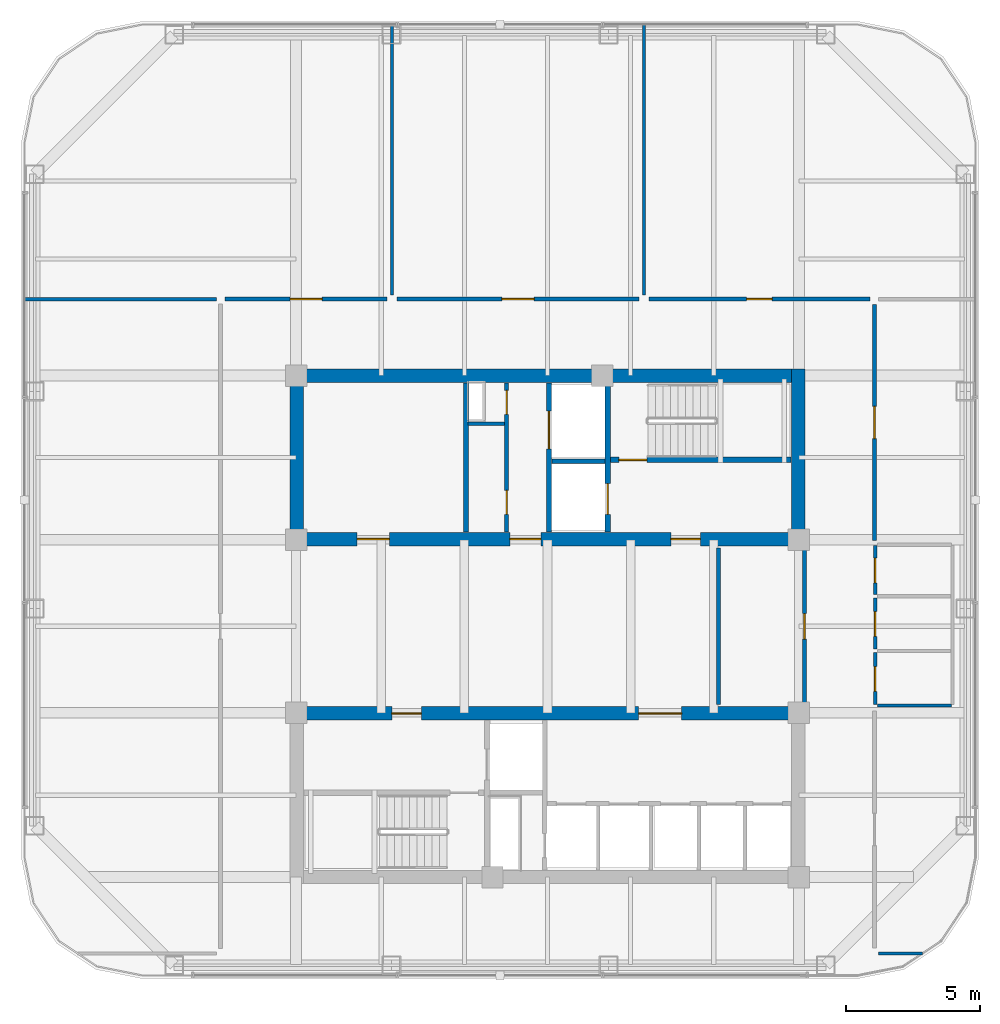
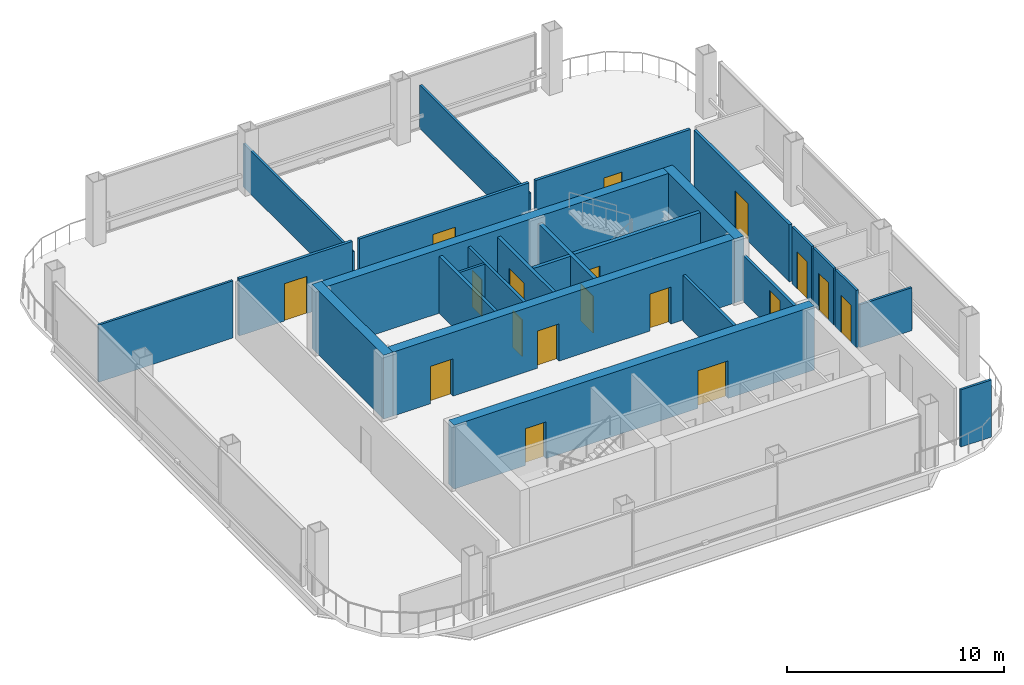
# One storey, part 15 of 19: 26 walls, 18 doors, 18 openings.
"""IFC4 building model written with IfcOpenShell, lengths in metres."""

import ifcopenshell
import ifcopenshell.guid

model = None  # the IFC model being written
_history = None  # IfcOwnerHistory: only IFC2X3 demands one
_inside = {}  # id of a spatial element -> (the spatial element, [elements in it])
_under = {}  # id of a project, library or spatial element -> (it, [spatial elements below it])
_declared = {}  # id of a project -> (the project, [libraries it declares])
_typed = {}  # id of a type object -> (the type object, [elements of that type])
_made_of = {}  # id of a material, layer set ... -> (it, [elements and type objects made of it])


def new_model(schema):
    """Start an empty IFC model of exactly this schema.

    Asked for "IFC4X3", IfcOpenShell would pick the latest addendum, in which some entities
    have other attributes; the version numbers below select the first issue.
    IFC2X3 requires an IfcOwnerHistory on every rooted entity: one is made here for all.
    """
    global model, _history
    if schema == "IFC4X3":
        model = ifcopenshell.file(schema_version=(4, 3, 0, 0))
    else:
        model = ifcopenshell.file(schema=schema)
    _inside.clear()
    _under.clear()
    _declared.clear()
    _typed.clear()
    _made_of.clear()
    _history = None
    if model.schema == "IFC2X3":
        org = make("IfcOrganization", Name="unknown")
        user = make(
            "IfcPersonAndOrganization",
            ThePerson=make("IfcPerson", FamilyName="unknown"),
            TheOrganization=org,
        )
        app = make(
            "IfcApplication",
            ApplicationDeveloper=org,
            Version="unknown",
            ApplicationFullName="unknown",
            ApplicationIdentifier="unknown",
        )
        _history = make(
            "IfcOwnerHistory",
            OwningUser=user,
            OwningApplication=app,
            ChangeAction="ADDED",
            CreationDate=0,
        )
    return model


def make(cls, **values):
    """One entity of the class cls with the attributes given. An attribute that is None is left unset."""
    return model.create_entity(
        cls, **{name: value for name, value in values.items() if value is not None}
    )


def rooted(cls, **values):
    """An entity with a GlobalId (a new one), such as an element, a storey or a relation."""
    return make(cls, GlobalId=ifcopenshell.guid.new(), OwnerHistory=_history, **values)


def si_unit(unit_type, name, prefix=None):
    """IfcSIUnit, for example si_unit("LENGTHUNIT", "METRE", prefix="MILLI")."""
    return make("IfcSIUnit", UnitType=unit_type, Prefix=prefix, Name=name)


def assignment(units):
    """IfcUnitAssignment: the units of a project."""
    return None if units is None else make("IfcUnitAssignment", Units=units)


def point(xyz):
    """IfcCartesianPoint."""
    return None if xyz is None else make("IfcCartesianPoint", Coordinates=xyz)


def direction(xyz):
    """IfcDirection."""
    return None if xyz is None else make("IfcDirection", DirectionRatios=xyz)


def frame(location, z_axis=None, x_axis=None):
    """IfcAxis2Placement3D, a coordinate frame: its origin and axes. An axis left out is left unset."""
    return make(
        "IfcAxis2Placement3D",
        Location=point(location),
        Axis=direction(z_axis),
        RefDirection=direction(x_axis),
    )


def frame_2d(location, x_axis=None):
    """IfcAxis2Placement2D, a coordinate frame in the plane: its origin and x axis."""
    return make(
        "IfcAxis2Placement2D", Location=point(location), RefDirection=direction(x_axis)
    )


def origin():
    """The frame at (0, 0, 0) with its axes left unset."""
    return frame((0.0, 0.0, 0.0))


def place(relative_to, where):
    """IfcLocalPlacement: puts the frame where relative to a parent placement (None: the world)."""
    return make(
        "IfcLocalPlacement", PlacementRelTo=relative_to, RelativePlacement=where
    )


def context(
    kind, dimensions, precision=None, world=None, true_north=None, identifier=None
):
    """IfcGeometricRepresentationContext, for example the 3D "Model" context."""
    return make(
        "IfcGeometricRepresentationContext",
        ContextIdentifier=identifier,
        ContextType=kind,
        CoordinateSpaceDimension=dimensions,
        Precision=precision,
        WorldCoordinateSystem=world,
        TrueNorth=true_north,
    )


def subcontext(parent, identifier, kind, view, scale=None):
    """IfcGeometricRepresentationSubContext, for example "Body" below "Model"."""
    return make(
        "IfcGeometricRepresentationSubContext",
        ContextIdentifier=identifier,
        ContextType=kind,
        ParentContext=parent,
        TargetScale=scale,
        TargetView=view,
    )


def project(units=None, contexts=None):
    """IfcProject with its units and contexts."""
    return rooted(
        "IfcProject",
        Name="project",
        RepresentationContexts=contexts,
        UnitsInContext=assignment(units),
    )


def spatial(cls, under=None, at=None, **own):
    """A site, building, storey or space (cls), placed at a placement, below another one or the project."""
    s = rooted(cls, ObjectPlacement=at, **own)
    if under is not None:
        _under.setdefault(under.id(), (under, []))[1].append(s)
    return s


def profile(cls, at=None, kind="AREA", **sizes):
    """A parametric profile (cls). Its sizes go by their IFC names, for example OverallWidth=200.0."""
    return make(cls, ProfileType=kind, Position=at, **sizes)


def rectangle(**sizes):
    """IfcRectangleProfileDef."""
    return profile("IfcRectangleProfileDef", **sizes)


def extrude(swept, where, along, depth):
    """IfcExtrudedAreaSolid: the profile swept, set in the frame where, extruded along a direction by depth."""
    return make(
        "IfcExtrudedAreaSolid",
        SweptArea=swept,
        Position=where,
        ExtrudedDirection=direction(along),
        Depth=depth,
    )


def shape(context_of_items, identifier, shape_type, items):
    """IfcShapeRepresentation: the items that make up one representation, for example the "Body"."""
    return make(
        "IfcShapeRepresentation",
        ContextOfItems=context_of_items,
        RepresentationIdentifier=identifier,
        RepresentationType=shape_type,
        Items=items,
    )


def material(Name=None, Category=None):
    """IfcMaterial."""
    return make("IfcMaterial", Name=Name, Category=Category)


def layer(
    of_material, thickness, ventilated=None, Name=None, Category=None, Priority=None
):
    """IfcMaterialLayer: one layer of a wall or slab, of a material (None: an air gap)."""
    return make(
        "IfcMaterialLayer",
        Material=of_material,
        LayerThickness=thickness,
        IsVentilated=ventilated,
        Name=Name,
        Category=Category,
        Priority=Priority,
    )


def layer_set(layers, Name=None):
    """IfcMaterialLayerSet."""
    return make("IfcMaterialLayerSet", MaterialLayers=layers, LayerSetName=Name)


def made_of(thing, what):
    """Note that an element or type object is made of a material, layer set ...; save() writes the relation."""
    if what is not None:
        _made_of.setdefault(what.id(), (what, []))[1].append(thing)
    return thing


def type_object(cls, material=None, **own):
    """A type object (cls), such as IfcWallType, which elements share."""
    return made_of(rooted(cls, **own), material)


def element(
    cls,
    number,
    at=None,
    inside=None,
    cuts=None,
    type_object=None,
    material=None,
    context=None,
    identifier="Body",
    shape_type=None,
    held_by="IfcProductDefinitionShape",
    body=None,
    shapes=None,
    **own,
):
    """One element of the class cls, such as IfcWall. Its Tag is "e" and its number.

    at: its placement. inside: the storey or other place that contains it. cuts: it is an
    opening in that element (IfcRelVoidsElement). A single representation is given by context,
    identifier, shape_type and body (its items); several are given by shapes. held_by: the class
    of the entity that holds the representations. save() writes the other relations.
    """
    e = rooted(cls, Tag="e%d" % number, ObjectPlacement=at, **own)
    if body is not None:
        shapes = [shape(context, identifier, shape_type, body)]
    if shapes is not None:
        e.Representation = make(held_by, Representations=shapes)
    if inside is not None:
        _inside.setdefault(inside.id(), (inside, []))[1].append(e)
    if cuts is not None:
        rooted(
            "IfcRelVoidsElement", RelatingBuildingElement=cuts, RelatedOpeningElement=e
        )
    if type_object is not None:
        _typed.setdefault(type_object.id(), (type_object, []))[1].append(e)
    return made_of(e, material)


def fill(opening, filler):
    """IfcRelFillsElement: the door or window that sits in an opening."""
    return rooted(
        "IfcRelFillsElement",
        RelatingOpeningElement=opening,
        RelatedBuildingElement=filler,
    )


def aggregate(whole, parts):
    """IfcRelAggregates: a whole, such as a stair, and the parts it consists of."""
    return rooted("IfcRelAggregates", RelatingObject=whole, RelatedObjects=parts)


def save(model, path):
    """Write the relations noted so far, then the file.

    IfcRelAggregates (storeys below a building ...), IfcRelContainedInSpatialStructure (elements
    in a storey), IfcRelDefinesByType, IfcRelAssociatesMaterial and IfcRelDeclares: one each for
    every whole, place, type object, material and project.
    """
    for whole, parts in _under.values():
        aggregate(whole, parts)
    for where, things in _inside.values():
        rooted(
            "IfcRelContainedInSpatialStructure",
            RelatedElements=things,
            RelatingStructure=where,
        )
    for kind, things in _typed.values():
        rooted("IfcRelDefinesByType", RelatedObjects=things, RelatingType=kind)
    for what, things in _made_of.values():
        rooted("IfcRelAssociatesMaterial", RelatedObjects=things, RelatingMaterial=what)
    for by, libraries in _declared.values():
        rooted("IfcRelDeclares", RelatingContext=by, RelatedDefinitions=libraries)
    model.write(path)


model = new_model("IFC4")

# Units and contexts
model_context = context("Model", 3, precision=1e-05, world=origin(), true_north=direction((0.0, 1.0)))
body_context = subcontext(model_context, "Body", "Model", "MODEL_VIEW")
ifc_project = project(units=[si_unit("LENGTHUNIT", "METRE"), si_unit("AREAUNIT", "SQUARE_METRE"), si_unit("VOLUMEUNIT", "CUBIC_METRE"), si_unit("PLANEANGLEUNIT", "RADIAN"), si_unit("MASSUNIT", "GRAM", prefix="KILO")], contexts=[model_context])

# Site, building, storey
site_placement = place(None, origin())
site = spatial("IfcSite", under=ifc_project, at=site_placement, CompositionType="ELEMENT")
building_placement = place(site_placement, origin())
building = spatial("IfcBuilding", under=site, at=building_placement, Name="Qhalaya Broadcast Tower", CompositionType="ELEMENT")
storey_placement = place(building_placement, frame((0.0, 0.0, 148.199951171875)))
storey = spatial("IfcBuildingStorey", under=building, at=storey_placement, Name="L43", CompositionType="ELEMENT", Elevation=148.199951171875)

# Wall, openings, doors
ifc_material_1 = material(Name="Gypsum Acoustic Partition")
ifc_layer_1 = layer(ifc_material_1, 0.14990234375, Name="Gypsum Acoustic Partition")
ifc_layer_set_1 = layer_set([ifc_layer_1], Name="Gypsum Acoustic Partition")
wall_type_1 = type_object("IfcWallType", Name="Corridor & Tenancy Acoustic Partition 150", PredefinedType="PARTITIONING", material=ifc_layer_set_1)
wall_1_placement = place(storey_placement, frame((-1.52001953125, 4.1201171875, 0.0), z_axis=(0.0, 0.0, 1.0), x_axis=(0.0, 1.0, 0.0)))
wall_1 = element("IfcWall", 1, at=wall_1_placement, inside=storey, type_object=wall_type_1, Name="L43 Partition Wall NCW-SVL", PredefinedType="PARTITIONING", context=body_context, shape_type="SweptSolid", body=[
    extrude(rectangle(XDim=5.559814453125, YDim=0.14990234375, at=frame_2d((2.77978515625, 0.0))), origin(), (0.0, 0.0, 1.0), 3.219970703125),
])
opening_1_placement = place(wall_1_placement, frame((4.3798828125, 0.0, 0.0)))
opening_1 = element("IfcOpeningElement", 2, at=opening_1_placement, cuts=wall_1, Name="Opening D06", PredefinedType="OPENING", context=body_context, shape_type="SweptSolid", body=[
    extrude(rectangle(XDim=0.89990234375, YDim=2.050048828125, at=frame_2d((0.449951171875, 1.02490234375))), frame((0.0, 0.0869140625, 0.0), z_axis=(0.0, -1.0, 0.0), x_axis=(1.0, 0.0, 0.0)), (0.0, 0.0, 1.0), 0.173828125),
])
opening_2_placement = place(wall_1_placement, frame((0.64990234375, 0.0, 0.0)))
opening_2 = element("IfcOpeningElement", 3, at=opening_2_placement, cuts=wall_1, Name="Opening D06", PredefinedType="OPENING", context=body_context, shape_type="SweptSolid", body=[
    extrude(rectangle(XDim=0.89990234375, YDim=2.050048828125, at=frame_2d((0.449951171875, 1.02490234375))), frame((0.0, 0.0869140625, 0.0), z_axis=(0.0, -1.0, 0.0), x_axis=(1.0, 0.0, 0.0)), (0.0, 0.0, 1.0), 0.173828125),
])
ifc_material_2 = material(Name="Fire-Rated Steel Door", Category="steel")
door_type_1 = type_object("IfcDoorType", Name="Riser & Electrical Shaft Access Door D06", OperationType="NOTDEFINED", PredefinedType="DOOR", material=ifc_material_2)
door_1_placement = place(opening_1_placement, origin())
door_1 = element("IfcDoor", 4, at=door_1_placement, inside=storey, type_object=door_type_1, Name="L43 Riser Shaft Access Door D-NRSR", OperationType="SINGLE_SWING_RIGHT", OverallHeight=2.050048828125, OverallWidth=0.89990234375, PredefinedType="DOOR", context=body_context, shape_type="SweptSolid", body=[
    extrude(rectangle(XDim=0.89990234375, YDim=2.050048828125, at=frame_2d((0.449951171875, 1.02490234375))), frame((0.0, 0.02490234375, 0.0), z_axis=(0.0, -1.0, 0.0), x_axis=(1.0, 0.0, 0.0)), (0.0, 0.0, 1.0), 0.050048828125),
])
fill(opening_1, door_1)
door_2_placement = place(opening_2_placement, origin())
door_2 = element("IfcDoor", 5, at=door_2_placement, inside=storey, type_object=door_type_1, Name="L43 Door D-NCST", OperationType="SINGLE_SWING_LEFT", OverallHeight=2.050048828125, OverallWidth=0.89990234375, PredefinedType="DOOR", context=body_context, shape_type="SweptSolid", body=[
    extrude(rectangle(XDim=0.89990234375, YDim=2.050048828125, at=frame_2d((0.449951171875, 1.02490234375))), frame((0.0, 0.02490234375, 0.0), z_axis=(0.0, -1.0, 0.0), x_axis=(1.0, 0.0, 0.0)), (0.0, 0.0, 1.0), 0.050048828125),
])
fill(opening_2, door_2)

# Wall
wall_2_placement = place(storey_placement, frame((6.3798828125, -2.320068359375, 0.0), z_axis=(0.0, 0.0, 1.0), x_axis=(0.0, 1.0, 0.0)))
element("IfcWall", 6, at=wall_2_placement, inside=storey, type_object=wall_type_1, Name="L43 Partition Wall W-ICHW", PredefinedType="PARTITIONING", context=body_context, shape_type="SweptSolid", body=[
    extrude(rectangle(XDim=5.840087890625, YDim=0.14990234375, at=frame_2d((2.919921875, 0.0))), origin(), (0.0, 0.0, 1.0), 2.588134765625),
])

# Wall, opening, door
wall_3_placement = place(storey_placement, frame((9.580078125, -2.320068359375, 0.0), z_axis=(0.0, 0.0, 1.0), x_axis=(0.0, 1.0, 0.0)))
wall_3 = element("IfcWall", 7, at=wall_3_placement, inside=storey, type_object=wall_type_1, Name="L43 Partition Wall W-ICHE", PredefinedType="PARTITIONING", context=body_context, shape_type="SweptSolid", body=[
    extrude(rectangle(XDim=5.840087890625, YDim=0.14990234375, at=frame_2d((2.919921875, 0.0))), origin(), (0.0, 0.0, 1.0), 2.588134765625),
])
opening_3_placement = place(wall_3_placement, frame((2.445068359375, 0.0, 0.0)))
opening_3 = element("IfcOpeningElement", 8, at=opening_3_placement, cuts=wall_3, Name="Opening D10", PredefinedType="OPENING", context=body_context, shape_type="SweptSolid", body=[
    extrude(rectangle(XDim=0.949951171875, YDim=2.10009765625, at=frame_2d((0.47509765625, 1.050048828125))), frame((0.0, 0.0869140625, 0.0), z_axis=(0.0, -1.0, 0.0), x_axis=(1.0, 0.0, 0.0)), (0.0, 0.0, 1.0), 0.173828125),
])
ifc_material_3 = material(Name="Timber Veneer Acoustic Door", Category="wood")
door_type_2 = type_object("IfcDoorType", Name="Cellular Office & Edit Booth Door D10", OperationType="NOTDEFINED", PredefinedType="DOOR", material=ifc_material_3)
door_3_placement = place(opening_3_placement, origin())
door_3 = element("IfcDoor", 9, at=door_3_placement, inside=storey, type_object=door_type_2, Name="L43 Door D-ICHE", OperationType="SINGLE_SWING_RIGHT", OverallHeight=2.10009765625, OverallWidth=0.949951171875, PredefinedType="DOOR", context=body_context, shape_type="SweptSolid", body=[
    extrude(rectangle(XDim=0.949951171875, YDim=2.10009765625, at=frame_2d((0.47509765625, 1.050048828125))), frame((0.0, 0.02490234375, 0.0), z_axis=(0.0, -1.0, 0.0), x_axis=(1.0, 0.0, 0.0)), (0.0, 0.0, 1.0), 0.050048828125),
])
fill(opening_3, door_3)

wall_4_placement = place(storey_placement, frame((-12.02001953125, 12.800048828125, 0.0), z_axis=(0.0, 0.0, 1.0), x_axis=(1.0, 0.0, 0.0)))
wall_4 = element("IfcWall", 10, at=wall_4_placement, inside=storey, type_object=wall_type_1, Name="L43 Partition Wall W-COR-01", PredefinedType="PARTITIONING", context=body_context, shape_type="SweptSolid", body=[
    extrude(rectangle(XDim=6.0400390625, YDim=0.14990234375, at=frame_2d((3.02001953125, 0.0))), origin(), (0.0, 0.0, 1.0), 3.219970703125),
])
opening_4_placement = place(wall_4_placement, frame((2.419921875, 0.0, 0.0)))
opening_4 = element("IfcOpeningElement", 11, at=opening_4_placement, cuts=wall_4, Name="Opening D11", PredefinedType="OPENING", context=body_context, shape_type="SweptSolid", body=[
    extrude(rectangle(XDim=1.199951171875, YDim=2.10009765625, at=frame_2d((0.60009765625, 1.050048828125))), frame((0.0, 0.0869140625, 0.0), z_axis=(0.0, -1.0, 0.0), x_axis=(1.0, 0.0, 0.0)), (0.0, 0.0, 1.0), 0.173828125),
])
ifc_material_4 = material(Name="Anodised Aluminium Glazed Door", Category="aluminium")
door_type_3 = type_object("IfcDoorType", Name="Conference, Boardroom & Studio Control Door D11", OperationType="NOTDEFINED", PredefinedType="DOOR", material=ifc_material_4)
door_4_placement = place(opening_4_placement, origin())
door_4 = element("IfcDoor", 12, at=door_4_placement, inside=storey, type_object=door_type_3, Name="L43 Door D-RM01", OperationType="SINGLE_SWING_LEFT", OverallHeight=2.10009765625, OverallWidth=1.199951171875, PredefinedType="DOOR", context=body_context, shape_type="SweptSolid", body=[
    extrude(rectangle(XDim=1.199951171875, YDim=2.10009765625, at=frame_2d((0.60009765625, 1.050048828125))), frame((0.0, 0.02490234375, 0.0), z_axis=(0.0, -1.0, 0.0), x_axis=(1.0, 0.0, 0.0)), (0.0, 0.0, 1.0), 0.050048828125),
])
fill(opening_4, door_4)

wall_5_placement = place(storey_placement, frame((-5.6201171875, 12.800048828125, 0.0), z_axis=(0.0, 0.0, 1.0), x_axis=(1.0, 0.0, 0.0)))
wall_5 = element("IfcWall", 13, at=wall_5_placement, inside=storey, type_object=wall_type_1, Name="L43 Partition Wall W-COR-02", PredefinedType="PARTITIONING", context=body_context, shape_type="SweptSolid", body=[
    extrude(rectangle(XDim=9.0400390625, YDim=0.14990234375, at=frame_2d((4.52001953125, 0.0))), origin(), (0.0, 0.0, 1.0), 3.219970703125),
])
opening_5_placement = place(wall_5_placement, frame((3.919921875, 0.0, 0.0)))
opening_5 = element("IfcOpeningElement", 14, at=opening_5_placement, cuts=wall_5, Name="Opening D11", PredefinedType="OPENING", context=body_context, shape_type="SweptSolid", body=[
    extrude(rectangle(XDim=1.199951171875, YDim=2.10009765625, at=frame_2d((0.60009765625, 1.050048828125))), frame((0.0, 0.0869140625, 0.0), z_axis=(0.0, -1.0, 0.0), x_axis=(1.0, 0.0, 0.0)), (0.0, 0.0, 1.0), 0.173828125),
])
door_5_placement = place(opening_5_placement, origin())
door_5 = element("IfcDoor", 15, at=door_5_placement, inside=storey, type_object=door_type_3, Name="L43 Door D-RM02", OperationType="SINGLE_SWING_RIGHT", OverallHeight=2.10009765625, OverallWidth=1.199951171875, PredefinedType="DOOR", context=body_context, shape_type="SweptSolid", body=[
    extrude(rectangle(XDim=1.199951171875, YDim=2.10009765625, at=frame_2d((0.60009765625, 1.050048828125))), frame((0.0, 0.02490234375, 0.0), z_axis=(0.0, -1.0, 0.0), x_axis=(1.0, 0.0, 0.0)), (0.0, 0.0, 1.0), 0.050048828125),
])
fill(opening_5, door_5)

wall_6_placement = place(storey_placement, frame((3.780029296875, 12.800048828125, 0.0), z_axis=(0.0, 0.0, 1.0), x_axis=(1.0, 0.0, 0.0)))
wall_6 = element("IfcWall", 16, at=wall_6_placement, inside=storey, type_object=wall_type_1, Name="L43 Partition Wall W-COR-03", PredefinedType="PARTITIONING", context=body_context, shape_type="SweptSolid", body=[
    extrude(rectangle(XDim=8.239990234375, YDim=0.14990234375, at=frame_2d((4.1201171875, 0.0))), origin(), (0.0, 0.0, 1.0), 3.219970703125),
])
opening_6_placement = place(wall_6_placement, frame((3.64501953125, 0.0, 0.0)))
opening_6 = element("IfcOpeningElement", 17, at=opening_6_placement, cuts=wall_6, Name="Opening D10", PredefinedType="OPENING", context=body_context, shape_type="SweptSolid", body=[
    extrude(rectangle(XDim=0.949951171875, YDim=2.10009765625, at=frame_2d((0.47509765625, 1.050048828125))), frame((0.0, 0.0869140625, 0.0), z_axis=(0.0, -1.0, 0.0), x_axis=(1.0, 0.0, 0.0)), (0.0, 0.0, 1.0), 0.173828125),
])
door_6_placement = place(opening_6_placement, origin())
door_6 = element("IfcDoor", 18, at=door_6_placement, inside=storey, type_object=door_type_2, Name="L43 Door D-RM03", OperationType="SINGLE_SWING_LEFT", OverallHeight=2.10009765625, OverallWidth=0.949951171875, PredefinedType="DOOR", context=body_context, shape_type="SweptSolid", body=[
    extrude(rectangle(XDim=0.949951171875, YDim=2.10009765625, at=frame_2d((0.47509765625, 1.050048828125))), frame((0.0, 0.02490234375, 0.0), z_axis=(0.0, -1.0, 0.0), x_axis=(1.0, 0.0, 0.0)), (0.0, 0.0, 1.0), 0.050048828125),
])
fill(opening_6, door_6)

wall_7_placement = place(storey_placement, frame((12.199951171875, 3.800048828125, 0.0), z_axis=(0.0, 0.0, 1.0), x_axis=(0.0, 1.0, 0.0)))
wall_7 = element("IfcWall", 19, at=wall_7_placement, inside=storey, type_object=wall_type_1, Name="L43 Partition Wall W-COR-06", PredefinedType="PARTITIONING", context=body_context, shape_type="SweptSolid", body=[
    extrude(rectangle(XDim=8.800048828125, YDim=0.14990234375, at=frame_2d((4.39990234375, 0.0))), origin(), (0.0, 0.0, 1.0), 3.219970703125),
])
opening_7_placement = place(wall_7_placement, frame((3.800048828125, 0.0, 0.0)))
opening_7 = element("IfcOpeningElement", 20, at=opening_7_placement, cuts=wall_7, Name="Opening D11", PredefinedType="OPENING", context=body_context, shape_type="SweptSolid", body=[
    extrude(rectangle(XDim=1.199951171875, YDim=2.10009765625, at=frame_2d((0.60009765625, 1.050048828125))), frame((0.0, 0.0869140625, 0.0), z_axis=(0.0, -1.0, 0.0), x_axis=(1.0, 0.0, 0.0)), (0.0, 0.0, 1.0), 0.173828125),
])
door_7_placement = place(opening_7_placement, origin())
door_7 = element("IfcDoor", 21, at=door_7_placement, inside=storey, type_object=door_type_3, Name="L43 Door D-RM06", OperationType="SINGLE_SWING_RIGHT", OverallHeight=2.10009765625, OverallWidth=1.199951171875, PredefinedType="DOOR", context=body_context, shape_type="SweptSolid", body=[
    extrude(rectangle(XDim=1.199951171875, YDim=2.10009765625, at=frame_2d((0.60009765625, 1.050048828125))), frame((0.0, 0.02490234375, 0.0), z_axis=(0.0, -1.0, 0.0), x_axis=(1.0, 0.0, 0.0)), (0.0, 0.0, 1.0), 0.050048828125),
])
fill(opening_7, door_7)

ifc_material_5 = material(Name="Concrete C50/60", Category="concrete")
ifc_layer_2 = layer(ifc_material_5, 0.199951171875, Name="Concrete C50/60")
ifc_layer_set_2 = layer_set([ifc_layer_2], Name="Concrete C50/60")
wall_type_2 = type_object("IfcWallType", Name="Load-Bearing Stair Shaft Wall 200", PredefinedType="SHEAR", material=ifc_layer_set_2)
wall_8_placement = place(storey_placement, frame((2.360107421875, 6.804931640625, 0.0), z_axis=(0.0, 0.0, 1.0), x_axis=(1.0, 0.0, 0.0)))
wall_8 = element("IfcWall", 22, at=wall_8_placement, inside=storey, type_object=wall_type_2, Name="L43 Stair Core Shear Wall NCW-ST1", PredefinedType="SHEAR", context=body_context, shape_type="SweptSolid", body=[
    extrude(rectangle(XDim=6.719970703125, YDim=0.199951171875, at=frame_2d((3.35986328125, 0.0))), origin(), (0.0, 0.0, 1.0), 3.219970703125),
])
opening_8_placement = place(wall_8_placement, frame((0.300048828125, 0.0, 0.0)))
opening_8 = element("IfcOpeningElement", 23, at=opening_8_placement, cuts=wall_8, Name="Opening D03", PredefinedType="OPENING", context=body_context, shape_type="SweptSolid", body=[
    extrude(rectangle(XDim=1.050048828125, YDim=2.080078125, at=frame_2d((0.52490234375, 1.0400390625))), frame((0.0, 0.112060546875, 0.0), z_axis=(0.0, -1.0, 0.0), x_axis=(1.0, 0.0, 0.0)), (0.0, 0.0, 1.0), 0.223876953125),
])
door_type_4 = type_object("IfcDoorType", Name="Core Stair Protected Fire Door D03", OperationType="NOTDEFINED", PredefinedType="DOOR", material=ifc_material_2)
door_8_placement = place(opening_8_placement, origin())
door_8 = element("IfcDoor", 24, at=door_8_placement, inside=storey, type_object=door_type_4, Name="L43 Door D-NST1", OperationType="SINGLE_SWING_LEFT", OverallHeight=2.080078125, OverallWidth=1.050048828125, PredefinedType="DOOR", context=body_context, shape_type="SweptSolid", body=[
    extrude(rectangle(XDim=1.050048828125, YDim=2.080078125, at=frame_2d((0.52490234375, 1.0400390625))), frame((0.0, 0.02490234375, 0.0), z_axis=(0.0, -1.0, 0.0), x_axis=(1.0, 0.0, 0.0)), (0.0, 0.0, 1.0), 0.050048828125),
])
fill(opening_8, door_8)

wall_9_placement = place(storey_placement, frame((2.25, 4.1201171875, 0.0), z_axis=(0.0, 0.0, 1.0), x_axis=(0.0, 1.0, 0.0)))
wall_9 = element("IfcWall", 25, at=wall_9_placement, inside=storey, type_object=wall_type_2, Name="L43 Stair Core Shear Wall NCW-FF", PredefinedType="SHEAR", context=body_context, shape_type="SweptSolid", body=[
    extrude(rectangle(XDim=5.559814453125, YDim=0.199951171875, at=frame_2d((2.77978515625, 0.0))), origin(), (0.0, 0.0, 1.0), 3.219970703125),
])
opening_9_placement = place(wall_9_placement, frame((0.64990234375, 0.0, 0.0)))
opening_9 = element("IfcOpeningElement", 26, at=opening_9_placement, cuts=wall_9, Name="Opening LD2", PredefinedType="OPENING", context=body_context, shape_type="SweptSolid", body=[
    extrude(rectangle(XDim=1.14990234375, YDim=2.080078125, at=frame_2d((0.574951171875, 1.0400390625))), frame((0.0, 0.112060546875, 0.0), z_axis=(0.0, -1.0, 0.0), x_axis=(1.0, 0.0, 0.0)), (0.0, 0.0, 1.0), 0.223876953125),
])
ifc_material_6 = material(Name="Brushed Stainless Steel Lift Door", Category="steel")
door_type_5 = type_object("IfcDoorType", Name="Firefighting Lift Sliding Landing Door LD2", OperationType="DOUBLE_DOOR_SLIDING", PredefinedType="DOOR", material=ifc_material_6)
door_9_placement = place(opening_9_placement, origin())
door_9 = element("IfcDoor", 27, at=door_9_placement, inside=storey, type_object=door_type_5, Name="L43 Door LD-FF1", OperationType="DOUBLE_DOOR_SLIDING", OverallHeight=2.080078125, OverallWidth=1.14990234375, PredefinedType="DOOR", context=body_context, shape_type="SweptSolid", body=[
    extrude(rectangle(XDim=1.14990234375, YDim=2.080078125, at=frame_2d((0.574951171875, 1.0400390625))), frame((0.0, 0.02490234375, 0.0), z_axis=(0.0, -1.0, 0.0), x_axis=(1.0, 0.0, 0.0)), (0.0, 0.0, 1.0), 0.050048828125),
])
fill(opening_9, door_9)

# Wall
ifc_layer_3 = layer(ifc_material_5, 0.5, Name="Concrete C50/60")
ifc_layer_set_3 = layer_set([ifc_layer_3], Name="Concrete C50/60")
wall_type_3 = type_object("IfcWallType", Name="Mid Split-Core Shear Wall 500", PredefinedType="SHEAR", material=ifc_layer_set_3)
wall_10_placement = place(storey_placement, frame((-9.60009765625, 9.949951171875, 0.0), z_axis=(0.0, 0.0, 1.0), x_axis=(1.0, 0.0, 0.0)))
element("IfcWall", 28, at=wall_10_placement, inside=storey, type_object=wall_type_3, Name="L43 Split-Core Shear Wall CW-NN", PredefinedType="SHEAR", context=body_context, shape_type="SweptSolid", body=[
    extrude(rectangle(XDim=19.2001953125, YDim=0.5, at=frame_2d((9.60009765625, 0.0))), origin(), (0.0, 0.0, 1.0), 3.60009765625),
])

# Wall, openings, doors
wall_11_placement = place(storey_placement, frame((-9.60009765625, 3.85009765625, 0.0), z_axis=(0.0, 0.0, 1.0), x_axis=(1.0, 0.0, 0.0)))
wall_11 = element("IfcWall", 29, at=wall_11_placement, inside=storey, type_object=wall_type_3, Name="L43 Split-Core Shear Wall CW-NS", PredefinedType="SHEAR", context=body_context, shape_type="SweptSolid", body=[
    extrude(rectangle(XDim=19.2001953125, YDim=0.5, at=frame_2d((9.60009765625, 0.0))), origin(), (0.0, 0.0, 1.0), 3.60009765625),
])
opening_10_placement = place(wall_11_placement, frame((14.199951171875, 0.0, 0.0)))
opening_10 = element("IfcOpeningElement", 30, at=opening_10_placement, cuts=wall_11, Name="Opening D04", PredefinedType="OPENING", context=body_context, shape_type="SweptSolid", body=[
    extrude(rectangle(XDim=1.10009765625, YDim=2.080078125, at=frame_2d((0.550048828125, 1.0400390625))), frame((0.0, 0.261962890625, 0.0), z_axis=(0.0, -1.0, 0.0), x_axis=(1.0, 0.0, 0.0)), (0.0, 0.0, 1.0), 0.52392578125),
])
opening_11_placement = place(wall_11_placement, frame((8.199951171875, 0.0, 0.0)))
opening_11 = element("IfcOpeningElement", 31, at=opening_11_placement, cuts=wall_11, Name="Opening D05", PredefinedType="OPENING", context=body_context, shape_type="SweptSolid", body=[
    extrude(rectangle(XDim=1.14990234375, YDim=2.10009765625, at=frame_2d((0.574951171875, 1.050048828125))), frame((0.0, 0.261962890625, 0.0), z_axis=(0.0, -1.0, 0.0), x_axis=(1.0, 0.0, 0.0)), (0.0, 0.0, 1.0), 0.52392578125),
])
opening_12_placement = place(wall_11_placement, frame((2.5, 0.0, 0.0)))
opening_12 = element("IfcOpeningElement", 32, at=opening_12_placement, cuts=wall_11, Name="Opening D11", PredefinedType="OPENING", context=body_context, shape_type="SweptSolid", body=[
    extrude(rectangle(XDim=1.199951171875, YDim=2.10009765625, at=frame_2d((0.60009765625, 1.050048828125))), frame((0.0, 0.261962890625, 0.0), z_axis=(0.0, -1.0, 0.0), x_axis=(1.0, 0.0, 0.0)), (0.0, 0.0, 1.0), 0.52392578125),
])
door_10_placement = place(opening_12_placement, origin())
door_10 = element("IfcDoor", 33, at=door_10_placement, inside=storey, type_object=door_type_3, Name="L43 Door D-NREC1", OperationType="SINGLE_SWING_LEFT", OverallHeight=2.10009765625, OverallWidth=1.199951171875, PredefinedType="DOOR", context=body_context, shape_type="SweptSolid", body=[
    extrude(rectangle(XDim=1.199951171875, YDim=2.10009765625, at=frame_2d((0.60009765625, 1.050048828125))), frame((0.0, 0.02490234375, 0.0), z_axis=(0.0, -1.0, 0.0), x_axis=(1.0, 0.0, 0.0)), (0.0, 0.0, 1.0), 0.050048828125),
])
fill(opening_12, door_10)
door_type_6 = type_object("IfcDoorType", Name="Firefighting Lobby Rated Door D04", OperationType="NOTDEFINED", PredefinedType="DOOR", material=ifc_material_2)
door_11_placement = place(opening_10_placement, origin())
door_11 = element("IfcDoor", 34, at=door_11_placement, inside=storey, type_object=door_type_6, Name="L43 Door D-NFF", OperationType="SINGLE_SWING_RIGHT", OverallHeight=2.080078125, OverallWidth=1.10009765625, PredefinedType="DOOR", context=body_context, shape_type="SweptSolid", body=[
    extrude(rectangle(XDim=1.10009765625, YDim=2.080078125, at=frame_2d((0.550048828125, 1.0400390625))), frame((0.0, 0.02490234375, 0.0), z_axis=(0.0, -1.0, 0.0), x_axis=(1.0, 0.0, 0.0)), (0.0, 0.0, 1.0), 0.050048828125),
])
fill(opening_10, door_11)
door_type_7 = type_object("IfcDoorType", Name="Refuge & Plant Room Fire Door D05", OperationType="NOTDEFINED", PredefinedType="DOOR", material=ifc_material_2)
door_12_placement = place(opening_11_placement, origin())
door_12 = element("IfcDoor", 35, at=door_12_placement, inside=storey, type_object=door_type_7, Name="L43 Door D-NSVL", OperationType="SINGLE_SWING_LEFT", OverallHeight=2.10009765625, OverallWidth=1.14990234375, PredefinedType="DOOR", context=body_context, shape_type="SweptSolid", body=[
    extrude(rectangle(XDim=1.14990234375, YDim=2.10009765625, at=frame_2d((0.574951171875, 1.050048828125))), frame((0.0, 0.02490234375, 0.0), z_axis=(0.0, -1.0, 0.0), x_axis=(1.0, 0.0, 0.0)), (0.0, 0.0, 1.0), 0.050048828125),
])
fill(opening_11, door_12)

# Walls
for number, where, z_axis, x_axis, name in (
    (36, (-9.35009765625, 3.60009765625, 0.0), (0.0, 0.0, 1.0), (0.0, 1.0, 0.0), "L43 Split-Core Shear Wall CW-NW"),
    (37, (9.35009765625, 3.60009765625, 0.0), (0.0, 0.0, 1.0), (0.0, 1.0, 0.0), "L43 Split-Core Shear Wall CW-NE"),
):
    element("IfcWall", number, at=place(storey_placement, frame(where, z_axis=z_axis, x_axis=x_axis)), inside=storey, type_object=wall_type_3, Name=name, PredefinedType="SHEAR", context=body_context, shape_type="SweptSolid", body=[
        extrude(rectangle(XDim=6.599853515625, YDim=0.5, at=frame_2d((3.2998046875, 0.0))), origin(), (0.0, 0.0, 1.0), 3.60009765625),
    ])

# Wall, openings, doors
wall_12_placement = place(storey_placement, frame((-9.60009765625, -2.64990234375, 0.0), z_axis=(0.0, 0.0, 1.0), x_axis=(1.0, 0.0, 0.0)))
wall_12 = element("IfcWall", 38, at=wall_12_placement, inside=storey, type_object=wall_type_3, Name="L43 Split-Core Shear Wall CW-SN", PredefinedType="SHEAR", context=body_context, shape_type="SweptSolid", body=[
    extrude(rectangle(XDim=19.2001953125, YDim=0.5, at=frame_2d((9.60009765625, 0.0))), origin(), (0.0, 0.0, 1.0), 3.60009765625),
])
opening_13_placement = place(wall_12_placement, frame((3.800048828125, 0.0, 0.0)))
opening_13 = element("IfcOpeningElement", 39, at=opening_13_placement, cuts=wall_12, Name="Opening D04", PredefinedType="OPENING", context=body_context, shape_type="SweptSolid", body=[
    extrude(rectangle(XDim=1.10009765625, YDim=2.080078125, at=frame_2d((0.550048828125, 1.0400390625))), frame((0.0, 0.261962890625, 0.0), z_axis=(0.0, -1.0, 0.0), x_axis=(1.0, 0.0, 0.0)), (0.0, 0.0, 1.0), 0.52392578125),
])
opening_14_placement = place(wall_12_placement, frame((13.0, 0.0, 0.0)))
opening_14 = element("IfcOpeningElement", 40, at=opening_14_placement, cuts=wall_12, Name="Opening D07", PredefinedType="OPENING", context=body_context, shape_type="SweptSolid", body=[
    extrude(rectangle(XDim=1.60009765625, YDim=2.1201171875, at=frame_2d((0.800048828125, 1.06005859375))), frame((0.0, 0.261962890625, 0.0), z_axis=(0.0, -1.0, 0.0), x_axis=(1.0, 0.0, 0.0)), (0.0, 0.0, 1.0), 0.52392578125),
])
door_13_placement = place(opening_13_placement, origin())
door_13 = element("IfcDoor", 41, at=door_13_placement, inside=storey, type_object=door_type_6, Name="L43 Door D-SFF", OperationType="SINGLE_SWING_LEFT", OverallHeight=2.080078125, OverallWidth=1.10009765625, PredefinedType="DOOR", context=body_context, shape_type="SweptSolid", body=[
    extrude(rectangle(XDim=1.10009765625, YDim=2.080078125, at=frame_2d((0.550048828125, 1.0400390625))), frame((0.0, 0.02490234375, 0.0), z_axis=(0.0, -1.0, 0.0), x_axis=(1.0, 0.0, 0.0)), (0.0, 0.0, 1.0), 0.050048828125),
])
fill(opening_13, door_13)
door_type_8 = type_object("IfcDoorType", Name="Passenger Lift Lobby Double Glazed Door D07", OperationType="DOUBLE_DOOR_SINGLE_SWING", PredefinedType="DOOR", material=ifc_material_4)
door_14_placement = place(opening_14_placement, origin())
door_14 = element("IfcDoor", 42, at=door_14_placement, inside=storey, type_object=door_type_8, Name="L43 Door D-SPLL", OperationType="DOUBLE_DOOR_SINGLE_SWING", OverallHeight=2.1201171875, OverallWidth=1.60009765625, PredefinedType="DOOR", context=body_context, shape_type="SweptSolid", body=[
    extrude(rectangle(XDim=1.60009765625, YDim=2.1201171875, at=frame_2d((0.800048828125, 1.06005859375))), frame((0.0, 0.02490234375, 0.0), z_axis=(0.0, -1.0, 0.0), x_axis=(1.0, 0.0, 0.0)), (0.0, 0.0, 1.0), 0.050048828125),
])
fill(opening_14, door_14)

# Wall
ifc_layer_4 = layer(ifc_material_1, 0.1201171875, Name="Gypsum Acoustic Partition")
ifc_layer_set_4 = layer_set([ifc_layer_4], Name="Gypsum Acoustic Partition")
wall_type_4 = type_object("IfcWallType", Name="Office, Booth & Sanitary Partition 120", PredefinedType="PARTITIONING", material=ifc_layer_set_4)
wall_13_placement = place(storey_placement, frame((-2.9599609375, 8.14990234375, 0.0), z_axis=(0.0, 0.0, 1.0), x_axis=(1.0, 0.0, 0.0)))
element("IfcWall", 43, at=wall_13_placement, inside=storey, type_object=wall_type_4, Name="L43 Partition Wall NCW-VA", PredefinedType="PARTITIONING", context=body_context, shape_type="SweptSolid", body=[
    extrude(rectangle(XDim=1.35986328125, YDim=0.1201171875, at=frame_2d((0.679931640625, 0.0))), origin(), (0.0, 0.0, 1.0), 3.219970703125),
])

# Wall, opening, door
wall_14_placement = place(storey_placement, frame((12.219970703125, -2.320068359375, 0.0), z_axis=(0.0, 0.0, 1.0), x_axis=(0.0, 1.0, 0.0)))
wall_14 = element("IfcWall", 44, at=wall_14_placement, inside=storey, type_object=wall_type_4, Name="L43 Partition Wall W-WCWA", PredefinedType="PARTITIONING", context=body_context, shape_type="SweptSolid", body=[
    extrude(rectangle(XDim=1.940185546875, YDim=0.1201171875, at=frame_2d((0.97021484375, 0.0))), origin(), (0.0, 0.0, 1.0), 3.219970703125),
])
opening_15_placement = place(wall_14_placement, frame((0.4951171875, 0.0, 0.0)))
opening_15 = element("IfcOpeningElement", 45, at=opening_15_placement, cuts=wall_14, Name="Opening D12", PredefinedType="OPENING", context=body_context, shape_type="SweptSolid", body=[
    extrude(rectangle(XDim=0.919921875, YDim=2.10009765625, at=frame_2d((0.4599609375, 1.050048828125))), frame((0.0, 0.072021484375, 0.0), z_axis=(0.0, -1.0, 0.0), x_axis=(1.0, 0.0, 0.0)), (0.0, 0.0, 1.0), 0.14404296875),
])
door_type_9 = type_object("IfcDoorType", Name="Accessible WC & Restroom Door D12", OperationType="NOTDEFINED", PredefinedType="DOOR", material=ifc_material_3)
door_15_placement = place(opening_15_placement, origin())
door_15 = element("IfcDoor", 46, at=door_15_placement, inside=storey, type_object=door_type_9, Name="L43 Door D-WCA", OperationType="SINGLE_SWING_LEFT", OverallHeight=2.10009765625, OverallWidth=0.919921875, PredefinedType="DOOR", context=body_context, shape_type="SweptSolid", body=[
    extrude(rectangle(XDim=0.919921875, YDim=2.10009765625, at=frame_2d((0.4599609375, 1.050048828125))), frame((0.0, 0.02490234375, 0.0), z_axis=(0.0, -1.0, 0.0), x_axis=(1.0, 0.0, 0.0)), (0.0, 0.0, 1.0), 0.050048828125),
])
fill(opening_15, door_15)

wall_15_placement = place(storey_placement, frame((12.219970703125, -0.25, 0.0), z_axis=(0.0, 0.0, 1.0), x_axis=(0.0, 1.0, 0.0)))
wall_15 = element("IfcWall", 47, at=wall_15_placement, inside=storey, type_object=wall_type_4, Name="L43 Partition Wall W-WCWM", PredefinedType="PARTITIONING", context=body_context, shape_type="SweptSolid", body=[
    extrude(rectangle(XDim=1.89990234375, YDim=0.1201171875, at=frame_2d((0.949951171875, 0.0))), origin(), (0.0, 0.0, 1.0), 3.219970703125),
])
opening_16_placement = place(wall_15_placement, frame((0.47509765625, 0.0, 0.0)))
opening_16 = element("IfcOpeningElement", 48, at=opening_16_placement, cuts=wall_15, Name="Opening D12", PredefinedType="OPENING", context=body_context, shape_type="SweptSolid", body=[
    extrude(rectangle(XDim=0.919921875, YDim=2.10009765625, at=frame_2d((0.4599609375, 1.050048828125))), frame((0.0, 0.072021484375, 0.0), z_axis=(0.0, -1.0, 0.0), x_axis=(1.0, 0.0, 0.0)), (0.0, 0.0, 1.0), 0.14404296875),
])
door_16_placement = place(opening_16_placement, origin())
door_16 = element("IfcDoor", 49, at=door_16_placement, inside=storey, type_object=door_type_9, Name="L43 Door D-WCM", OperationType="SINGLE_SWING_RIGHT", OverallHeight=2.10009765625, OverallWidth=0.919921875, PredefinedType="DOOR", context=body_context, shape_type="SweptSolid", body=[
    extrude(rectangle(XDim=0.919921875, YDim=2.10009765625, at=frame_2d((0.4599609375, 1.050048828125))), frame((0.0, 0.02490234375, 0.0), z_axis=(0.0, -1.0, 0.0), x_axis=(1.0, 0.0, 0.0)), (0.0, 0.0, 1.0), 0.050048828125),
])
fill(opening_16, door_16)

wall_16_placement = place(storey_placement, frame((12.219970703125, 1.780029296875, 0.0), z_axis=(0.0, 0.0, 1.0), x_axis=(0.0, 1.0, 0.0)))
wall_16 = element("IfcWall", 50, at=wall_16_placement, inside=storey, type_object=wall_type_4, Name="L43 Partition Wall W-WCWF", PredefinedType="PARTITIONING", context=body_context, shape_type="SweptSolid", body=[
    extrude(rectangle(XDim=1.830078125, YDim=0.1201171875, at=frame_2d((0.9150390625, 0.0))), origin(), (0.0, 0.0, 1.0), 3.219970703125),
])
opening_17_placement = place(wall_16_placement, frame((0.43994140625, 0.0, 0.0)))
opening_17 = element("IfcOpeningElement", 51, at=opening_17_placement, cuts=wall_16, Name="Opening D12", PredefinedType="OPENING", context=body_context, shape_type="SweptSolid", body=[
    extrude(rectangle(XDim=0.919921875, YDim=2.10009765625, at=frame_2d((0.4599609375, 1.050048828125))), frame((0.0, 0.072021484375, 0.0), z_axis=(0.0, -1.0, 0.0), x_axis=(1.0, 0.0, 0.0)), (0.0, 0.0, 1.0), 0.14404296875),
])
door_17_placement = place(opening_17_placement, origin())
door_17 = element("IfcDoor", 52, at=door_17_placement, inside=storey, type_object=door_type_9, Name="L43 Door D-WCF", OperationType="SINGLE_SWING_LEFT", OverallHeight=2.10009765625, OverallWidth=0.919921875, PredefinedType="DOOR", context=body_context, shape_type="SweptSolid", body=[
    extrude(rectangle(XDim=0.919921875, YDim=2.10009765625, at=frame_2d((0.4599609375, 1.050048828125))), frame((0.0, 0.02490234375, 0.0), z_axis=(0.0, -1.0, 0.0), x_axis=(1.0, 0.0, 0.0)), (0.0, 0.0, 1.0), 0.050048828125),
])
fill(opening_17, door_17)

# Walls
wall_17_placement = place(storey_placement, frame((12.31005859375, -2.35009765625, 0.0), z_axis=(0.0, 0.0, 1.0), x_axis=(1.0, 0.0, 0.0)))
element("IfcWall", 53, at=wall_17_placement, inside=storey, type_object=wall_type_4, Name="L43 Partition Wall W-WCS", PredefinedType="PARTITIONING", context=body_context, shape_type="SweptSolid", body=[
    extrude(rectangle(XDim=2.760009765625, YDim=0.1201171875, at=frame_2d((1.3798828125, 0.0))), origin(), (0.0, 0.0, 1.0), 2.420166015625),
])
wall_18_placement = place(storey_placement, frame((-19.5, 12.800048828125, 0.0), z_axis=(0.0, 0.0, 1.0), x_axis=(1.0, 0.0, 0.0)))
element("IfcWall", 54, at=wall_18_placement, inside=storey, type_object=wall_type_4, Name="L43 Partition Wall W-BNDW1", PredefinedType="PARTITIONING", context=body_context, shape_type="SweptSolid", body=[
    extrude(rectangle(XDim=7.159912109375, YDim=0.1201171875, at=frame_2d((3.580078125, 0.0))), origin(), (0.0, 0.0, 1.0), 3.219970703125),
])
wall_19_placement = place(storey_placement, frame((12.340087890625, -11.60009765625, 0.0), z_axis=(0.0, 0.0, 1.0), x_axis=(1.0, 0.0, 0.0)))
element("IfcWall", 55, at=wall_19_placement, inside=storey, type_object=wall_type_4, Name="L43 Partition Wall W-BNDE2", PredefinedType="PARTITIONING", context=body_context, shape_type="SweptSolid", body=[
    extrude(rectangle(XDim=1.64013671875, YDim=0.1201171875, at=frame_2d((0.820068359375, 0.0))), origin(), (0.0, 0.0, 1.0), 3.219970703125),
])
for number, where, z_axis, x_axis, name in (
    (56, (-5.800048828125, 12.9599609375, 0.0), (0.0, 0.0, 1.0), (0.0, 1.0, 0.0), "L43 Partition Wall W-DIVN1"),
    (57, (3.60009765625, 12.9599609375, 0.0), (0.0, 0.0, 1.0), (0.0, 1.0, 0.0), "L43 Partition Wall W-DIVN2"),
):
    element("IfcWall", number, at=place(storey_placement, frame(where, z_axis=z_axis, x_axis=x_axis)), inside=storey, type_object=wall_type_4, Name=name, PredefinedType="PARTITIONING", context=body_context, shape_type="SweptSolid", body=[
        extrude(rectangle(XDim=10.080078125, YDim=0.1201171875, at=frame_2d((5.0400390625, 0.0))), origin(), (0.0, 0.0, 1.0), 2.43798828125),
    ])

# Wall, opening, door
ifc_layer_5 = layer(ifc_material_1, 0.175048828125, Name="Gypsum Acoustic Partition")
ifc_layer_set_5 = layer_set([ifc_layer_5], Name="Gypsum Acoustic Partition")
wall_type_5 = type_object("IfcWallType", Name="Shaft & Riser Fire Partition 175", PredefinedType="PARTITIONING", material=ifc_layer_set_5)
wall_20_placement = place(storey_placement, frame((0.06005859375, 4.1201171875, 0.0), z_axis=(0.0, 0.0, 1.0), x_axis=(0.0, 1.0, 0.0)))
wall_20 = element("IfcWall", 58, at=wall_20_placement, inside=storey, type_object=wall_type_5, Name="L43 Partition Wall NCW-SVW", PredefinedType="PARTITIONING", context=body_context, shape_type="SweptSolid", body=[
    extrude(rectangle(XDim=5.559814453125, YDim=0.175048828125, at=frame_2d((2.77978515625, 0.0))), origin(), (0.0, 0.0, 1.0), 3.219970703125),
])
opening_18_placement = place(wall_20_placement, frame((3.10009765625, 0.0, 0.0)))
opening_18 = element("IfcOpeningElement", 59, at=opening_18_placement, cuts=wall_20, Name="Opening LD3", PredefinedType="OPENING", context=body_context, shape_type="SweptSolid", body=[
    extrude(rectangle(XDim=1.39990234375, YDim=2.1201171875, at=frame_2d((0.699951171875, 1.06005859375))), frame((0.0, 0.099609375, 0.0), z_axis=(0.0, -1.0, 0.0), x_axis=(1.0, 0.0, 0.0)), (0.0, 0.0, 1.0), 0.198974609375),
])
door_type_10 = type_object("IfcDoorType", Name="Service Lift Wide Sliding Landing Door LD3", OperationType="DOUBLE_DOOR_SLIDING", PredefinedType="DOOR", material=ifc_material_6)
door_18_placement = place(opening_18_placement, origin())
door_18 = element("IfcDoor", 60, at=door_18_placement, inside=storey, type_object=door_type_10, Name="L43 Door LD-SV1", OperationType="DOUBLE_DOOR_SLIDING", OverallHeight=2.1201171875, OverallWidth=1.39990234375, PredefinedType="DOOR", context=body_context, shape_type="SweptSolid", body=[
    extrude(rectangle(XDim=1.39990234375, YDim=2.1201171875, at=frame_2d((0.699951171875, 1.06005859375))), frame((0.0, 0.02490234375, 0.0), z_axis=(0.0, -1.0, 0.0), x_axis=(1.0, 0.0, 0.0)), (0.0, 0.0, 1.0), 0.050048828125),
])
fill(opening_18, door_18)

# Walls
wall_21_placement = place(storey_placement, frame((0.159912109375, 6.75, 0.0), z_axis=(0.0, 0.0, 1.0), x_axis=(1.0, 0.0, 0.0)))
element("IfcWall", 61, at=wall_21_placement, inside=storey, type_object=wall_type_5, Name="L43 Partition Wall NCW-SVM", PredefinedType="PARTITIONING", context=body_context, shape_type="SweptSolid", body=[
    extrude(rectangle(XDim=1.97998046875, YDim=0.175048828125, at=frame_2d((0.989990234375, 0.0))), origin(), (0.0, 0.0, 1.0), 3.219970703125),
])
wall_22_placement = place(storey_placement, frame((-3.0400390625, 4.1201171875, 0.0), z_axis=(0.0, 0.0, 1.0), x_axis=(0.0, 1.0, 0.0)))
element("IfcWall", 62, at=wall_22_placement, inside=storey, type_object=wall_type_5, Name="L43 Partition Wall NCW-VRW", PredefinedType="PARTITIONING", context=body_context, shape_type="SweptSolid", body=[
    extrude(rectangle(XDim=5.559814453125, YDim=0.175048828125, at=frame_2d((2.77978515625, 0.0))), origin(), (0.0, 0.0, 1.0), 3.219970703125),
])

save(model, "model.ifc")
